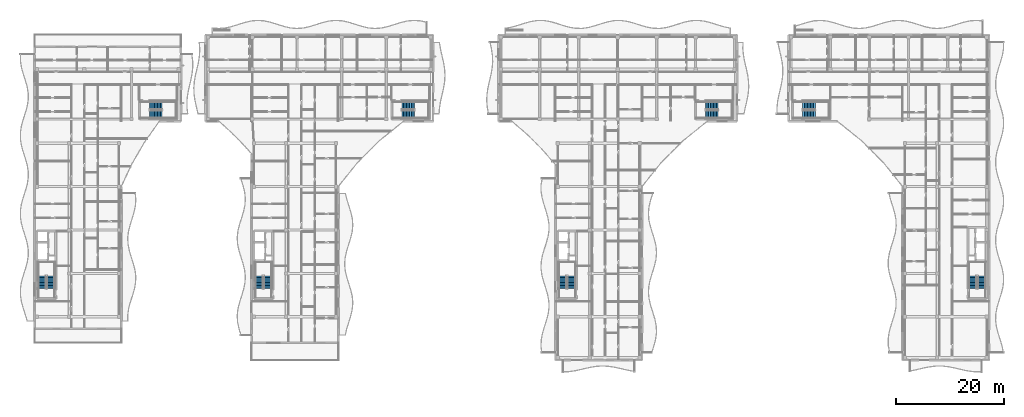
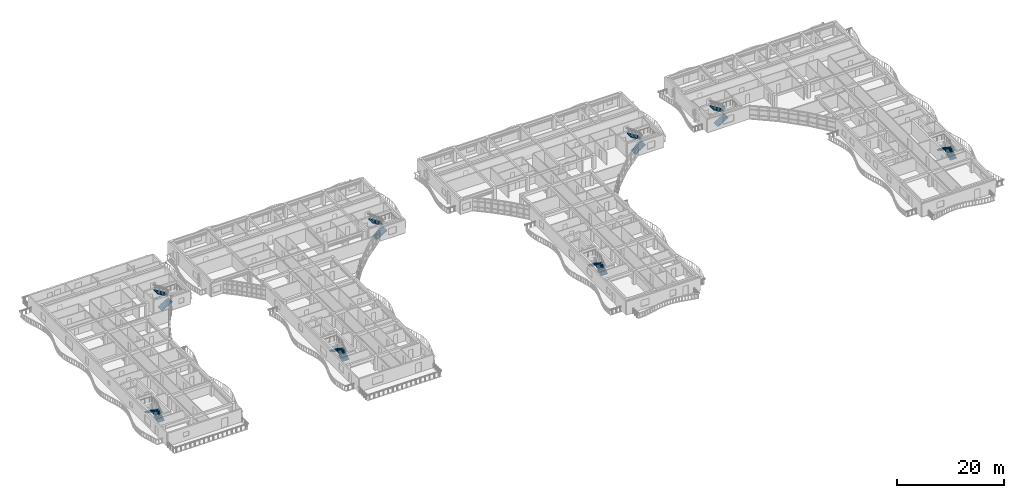
# One storey, part 47 of 71: 16 stair flights, 8 elements without a shape of their own.
"""IFC4 building model written with IfcOpenShell, lengths in metres."""

from ifc_helpers import new_model, si_unit, direction, frame, origin, place, context, subcontext, project, spatial, polyline, outline, extrude, material, type_object, element, aggregate, save


model = new_model("IFC4")

# Units and contexts
model_context = context("Model", 3, precision=1e-05, world=origin(), true_north=direction((0.0, 1.0)))
body_context = subcontext(model_context, "Body", "Model", "MODEL_VIEW")
ifc_project = project(units=[si_unit("LENGTHUNIT", "METRE"), si_unit("AREAUNIT", "SQUARE_METRE"), si_unit("VOLUMEUNIT", "CUBIC_METRE"), si_unit("PLANEANGLEUNIT", "RADIAN"), si_unit("MASSUNIT", "GRAM", prefix="KILO")], contexts=[model_context])

# Site, building, storey
site_placement = place(None, origin())
site = spatial("IfcSite", under=ifc_project, at=site_placement, CompositionType="ELEMENT")
building_placement = place(site_placement, origin())
building = spatial("IfcBuilding", under=site, at=building_placement, Name="Keldmere Railside Commons", CompositionType="ELEMENT")
storey_placement = place(building_placement, frame((0.0, 0.0, 20.159912109375)))
storey = spatial("IfcBuildingStorey", under=building, at=storey_placement, Name="L06", CompositionType="ELEMENT", Elevation=20.159912109375)

# Stair, stair flights
ifc_material = material(Name="Concrete H-30 (C30/37)", Category="concrete")
stair_type_1 = type_object("IfcStairType", Name="Basement Garage Dogleg Escape Stair 1450", PredefinedType="HALF_TURN_STAIR", material=ifc_material)
stair_1_placement = place(storey_placement, origin())
stair_1 = element("IfcStair", 1, at=stair_1_placement, inside=storey, type_object=stair_type_1, Name="L06 Block B Primary Escape Stair 1", PredefinedType="HALF_TURN_STAIR")
stair_flight_type_1 = type_object("IfcStairFlightType", Name="Basement Escape Stair Flight 1450", PredefinedType="STRAIGHT", material=ifc_material)
stair_flight_1_placement = place(storey_placement, frame((106.97509765625, 69.199951171875, 0.0), z_axis=(0.0, 0.0, 1.0), x_axis=(0.0, 1.0, 0.0)))
stair_flight_1 = element("IfcStairFlight", 2, at=stair_flight_1_placement, type_object=stair_flight_type_1, Name="ST-B1 flight 1", NumberOfRisers=9, NumberOfTreads=8, PredefinedType="STRAIGHT", RiserHeight=0.177777778, TreadLength=0.29, context=body_context, shape_type="SweptSolid", body=[
    extrude(outline(polyline([(0.0, 0.0), (0.0, 0.177734375), (0.2900390625, 0.177734375), (0.2900390625, 0.35546875), (0.580078125, 0.35546875), (0.580078125, 0.533447265625), (0.8701171875, 0.533447265625), (0.8701171875, 0.711181640625), (1.159912109375, 0.711181640625), (1.159912109375, 0.888916015625), (1.449951171875, 0.888916015625), (1.449951171875, 1.066650390625), (1.739990234375, 1.066650390625), (1.739990234375, 1.244384765625), (2.030029296875, 1.244384765625), (2.030029296875, 1.422119140625), (2.320068359375, 1.422119140625), (2.320068359375, 1.60009765625), (2.320068359375, 1.211181640625), (0.34423828125, 0.0), (0.0, 0.0)])), frame((0.0, 0.72509765625, 0.0), z_axis=(0.0, -1.0, 0.0), x_axis=(1.0, 0.0, 0.0)), (0.0, 0.0, 1.0), 1.449951171875),
])
stair_flight_2_placement = place(storey_placement, frame((105.375, 71.52001953125, 1.60009765625), z_axis=(0.0, 0.0, 1.0), x_axis=(0.0, -1.0, 0.0)))
stair_flight_2 = element("IfcStairFlight", 3, at=stair_flight_2_placement, type_object=stair_flight_type_1, Name="ST-B1 flight 2", NumberOfRisers=9, NumberOfTreads=8, PredefinedType="STRAIGHT", RiserHeight=0.177777778, TreadLength=0.29, context=body_context, shape_type="SweptSolid", body=[
    extrude(outline(polyline([(0.0, 0.0), (0.0, 0.177734375), (0.2900390625, 0.177734375), (0.2900390625, 0.35546875), (0.580078125, 0.35546875), (0.580078125, 0.533447265625), (0.8701171875, 0.533447265625), (0.8701171875, 0.711181640625), (1.159912109375, 0.711181640625), (1.159912109375, 0.888916015625), (1.449951171875, 0.888916015625), (1.449951171875, 1.066650390625), (1.739990234375, 1.066650390625), (1.739990234375, 1.244384765625), (2.030029296875, 1.244384765625), (2.030029296875, 1.422119140625), (2.320068359375, 1.422119140625), (2.320068359375, 1.60009765625), (2.320068359375, 1.211181640625), (0.34423828125, 0.0), (0.0, 0.0)])), frame((0.0, 0.72509765625, 0.0), z_axis=(0.0, -1.0, 0.0), x_axis=(1.0, 0.0, 0.0)), (0.0, 0.0, 1.0), 1.449951171875),
])
aggregate(stair_1, [stair_flight_1, stair_flight_2])

stair_2_placement = place(storey_placement, origin())
stair_2 = element("IfcStair", 4, at=stair_2_placement, inside=storey, type_object=stair_type_1, Name="L06 Block B Secondary Escape Stair 2", PredefinedType="HALF_TURN_STAIR")
stair_flight_3_placement = place(storey_placement, frame((131.699951171875, 101.324951171875, 0.0), z_axis=(0.0, 0.0, 1.0), x_axis=(1.0, 0.0, 0.0)))
stair_flight_3 = element("IfcStairFlight", 5, at=stair_flight_3_placement, type_object=stair_flight_type_1, Name="ST-B2 flight 1", NumberOfRisers=9, NumberOfTreads=8, PredefinedType="STRAIGHT", RiserHeight=0.177777778, TreadLength=0.29, context=body_context, shape_type="SweptSolid", body=[
    extrude(outline(polyline([(0.0, 0.0), (0.0, 0.177734375), (0.2900390625, 0.177734375), (0.2900390625, 0.35546875), (0.580078125, 0.35546875), (0.580078125, 0.533447265625), (0.8701171875, 0.533447265625), (0.8701171875, 0.711181640625), (1.159912109375, 0.711181640625), (1.159912109375, 0.888916015625), (1.449951171875, 0.888916015625), (1.449951171875, 1.066650390625), (1.739990234375, 1.066650390625), (1.739990234375, 1.244384765625), (2.030029296875, 1.244384765625), (2.030029296875, 1.422119140625), (2.320068359375, 1.422119140625), (2.320068359375, 1.60009765625), (2.320068359375, 1.211181640625), (0.34423828125, 0.0), (0.0, 0.0)])), frame((0.0, 0.72509765625, 0.0), z_axis=(0.0, -1.0, 0.0), x_axis=(1.0, 0.0, 0.0)), (0.0, 0.0, 1.0), 1.449951171875),
])
stair_flight_4_placement = place(storey_placement, frame((134.02001953125, 102.925048828125, 1.60009765625), z_axis=(0.0, 0.0, 1.0), x_axis=(-1.0, 0.0, 0.0)))
stair_flight_4 = element("IfcStairFlight", 6, at=stair_flight_4_placement, type_object=stair_flight_type_1, Name="ST-B2 flight 2", NumberOfRisers=9, NumberOfTreads=8, PredefinedType="STRAIGHT", RiserHeight=0.177777778, TreadLength=0.29, context=body_context, shape_type="SweptSolid", body=[
    extrude(outline(polyline([(0.0, 0.0), (0.0, 0.177734375), (0.2900390625, 0.177734375), (0.2900390625, 0.35546875), (0.580078125, 0.35546875), (0.580078125, 0.533447265625), (0.8701171875, 0.533447265625), (0.8701171875, 0.711181640625), (1.159912109375, 0.711181640625), (1.159912109375, 0.888916015625), (1.449951171875, 0.888916015625), (1.449951171875, 1.066650390625), (1.739990234375, 1.066650390625), (1.739990234375, 1.244384765625), (2.030029296875, 1.244384765625), (2.030029296875, 1.422119140625), (2.320068359375, 1.422119140625), (2.320068359375, 1.60009765625), (2.320068359375, 1.211181640625), (0.34423828125, 0.0), (0.0, 0.0)])), frame((0.0, 0.72509765625, 0.0), z_axis=(0.0, -1.0, 0.0), x_axis=(1.0, 0.0, 0.0)), (0.0, 0.0, 1.0), 1.449951171875),
])
aggregate(stair_2, [stair_flight_3, stair_flight_4])

stair_type_2 = type_object("IfcStairType", Name="Residential Core Dogleg Stair 1450", PredefinedType="HALF_TURN_STAIR", material=ifc_material)
stair_3_placement = place(storey_placement, origin())
stair_3 = element("IfcStair", 7, at=stair_3_placement, inside=storey, type_object=stair_type_2, Name="L06 Block D Primary Escape Stair 1", PredefinedType="HALF_TURN_STAIR")
stair_flight_type_2 = type_object("IfcStairFlightType", Name="Residential Core Stair Flight 1450", PredefinedType="STRAIGHT", material=ifc_material)
stair_flight_5_placement = place(storey_placement, frame((10.97509765625, 69.199951171875, 0.0), z_axis=(0.0, 0.0, 1.0), x_axis=(0.0, 1.0, 0.0)))
stair_flight_5 = element("IfcStairFlight", 8, at=stair_flight_5_placement, type_object=stair_flight_type_2, Name="ST-D1 flight 1", NumberOfRisers=9, NumberOfTreads=8, PredefinedType="STRAIGHT", RiserHeight=0.177777778, TreadLength=0.29, context=body_context, shape_type="SweptSolid", body=[
    extrude(outline(polyline([(0.0, 0.0), (0.0, 0.177734375), (0.2900390625, 0.177734375), (0.2900390625, 0.35546875), (0.580078125, 0.35546875), (0.580078125, 0.533447265625), (0.8701171875, 0.533447265625), (0.8701171875, 0.711181640625), (1.159912109375, 0.711181640625), (1.159912109375, 0.888916015625), (1.449951171875, 0.888916015625), (1.449951171875, 1.066650390625), (1.739990234375, 1.066650390625), (1.739990234375, 1.244384765625), (2.030029296875, 1.244384765625), (2.030029296875, 1.422119140625), (2.320068359375, 1.422119140625), (2.320068359375, 1.60009765625), (2.320068359375, 1.211181640625), (0.34423828125, 0.0), (0.0, 0.0)])), frame((0.0, 0.72509765625, 0.0), z_axis=(0.0, -1.0, 0.0), x_axis=(1.0, 0.0, 0.0)), (0.0, 0.0, 1.0), 1.449951171875),
])
stair_flight_6_placement = place(storey_placement, frame((9.375, 71.52001953125, 1.60009765625), z_axis=(0.0, 0.0, 1.0), x_axis=(0.0, -1.0, 0.0)))
stair_flight_6 = element("IfcStairFlight", 9, at=stair_flight_6_placement, type_object=stair_flight_type_2, Name="ST-D1 flight 2", NumberOfRisers=9, NumberOfTreads=8, PredefinedType="STRAIGHT", RiserHeight=0.177777778, TreadLength=0.29, context=body_context, shape_type="SweptSolid", body=[
    extrude(outline(polyline([(0.0, 0.0), (0.0, 0.177734375), (0.2900390625, 0.177734375), (0.2900390625, 0.35546875), (0.580078125, 0.35546875), (0.580078125, 0.533447265625), (0.8701171875, 0.533447265625), (0.8701171875, 0.711181640625), (1.159912109375, 0.711181640625), (1.159912109375, 0.888916015625), (1.449951171875, 0.888916015625), (1.449951171875, 1.066650390625), (1.739990234375, 1.066650390625), (1.739990234375, 1.244384765625), (2.030029296875, 1.244384765625), (2.030029296875, 1.422119140625), (2.320068359375, 1.422119140625), (2.320068359375, 1.60009765625), (2.320068359375, 1.211181640625), (0.34423828125, 0.0), (0.0, 0.0)])), frame((0.0, 0.72509765625, 0.0), z_axis=(0.0, -1.0, 0.0), x_axis=(1.0, 0.0, 0.0)), (0.0, 0.0, 1.0), 1.449951171875),
])
aggregate(stair_3, [stair_flight_5, stair_flight_6])

stair_4_placement = place(storey_placement, origin())
stair_4 = element("IfcStair", 10, at=stair_4_placement, inside=storey, type_object=stair_type_2, Name="L06 Block D Secondary Escape Stair 2", PredefinedType="HALF_TURN_STAIR")
stair_flight_7_placement = place(storey_placement, frame((29.199951171875, 101.324951171875, 0.0), z_axis=(0.0, 0.0, 1.0), x_axis=(1.0, 0.0, 0.0)))
stair_flight_7 = element("IfcStairFlight", 11, at=stair_flight_7_placement, type_object=stair_flight_type_2, Name="ST-D2 flight 1", NumberOfRisers=9, NumberOfTreads=8, PredefinedType="STRAIGHT", RiserHeight=0.177777778, TreadLength=0.29, context=body_context, shape_type="SweptSolid", body=[
    extrude(outline(polyline([(0.0, 0.0), (0.0, 0.177734375), (0.2900390625, 0.177734375), (0.2900390625, 0.35546875), (0.580078125, 0.35546875), (0.580078125, 0.533447265625), (0.8701171875, 0.533447265625), (0.8701171875, 0.711181640625), (1.159912109375, 0.711181640625), (1.159912109375, 0.888916015625), (1.449951171875, 0.888916015625), (1.449951171875, 1.066650390625), (1.739990234375, 1.066650390625), (1.739990234375, 1.244384765625), (2.030029296875, 1.244384765625), (2.030029296875, 1.422119140625), (2.320068359375, 1.422119140625), (2.320068359375, 1.60009765625), (2.320068359375, 1.211181640625), (0.34423828125, 0.0), (0.0, 0.0)])), frame((0.0, 0.72509765625, 0.0), z_axis=(0.0, -1.0, 0.0), x_axis=(1.0, 0.0, 0.0)), (0.0, 0.0, 1.0), 1.449951171875),
])
stair_flight_8_placement = place(storey_placement, frame((31.52001953125, 102.925048828125, 1.60009765625), z_axis=(0.0, 0.0, 1.0), x_axis=(-1.0, 0.0, 0.0)))
stair_flight_8 = element("IfcStairFlight", 12, at=stair_flight_8_placement, type_object=stair_flight_type_2, Name="ST-D2 flight 2", NumberOfRisers=9, NumberOfTreads=8, PredefinedType="STRAIGHT", RiserHeight=0.177777778, TreadLength=0.29, context=body_context, shape_type="SweptSolid", body=[
    extrude(outline(polyline([(0.0, 0.0), (0.0, 0.177734375), (0.2900390625, 0.177734375), (0.2900390625, 0.35546875), (0.580078125, 0.35546875), (0.580078125, 0.533447265625), (0.8701171875, 0.533447265625), (0.8701171875, 0.711181640625), (1.159912109375, 0.711181640625), (1.159912109375, 0.888916015625), (1.449951171875, 0.888916015625), (1.449951171875, 1.066650390625), (1.739990234375, 1.066650390625), (1.739990234375, 1.244384765625), (2.030029296875, 1.244384765625), (2.030029296875, 1.422119140625), (2.320068359375, 1.422119140625), (2.320068359375, 1.60009765625), (2.320068359375, 1.211181640625), (0.34423828125, 0.0), (0.0, 0.0)])), frame((0.0, 0.72509765625, 0.0), z_axis=(0.0, -1.0, 0.0), x_axis=(1.0, 0.0, 0.0)), (0.0, 0.0, 1.0), 1.449951171875),
])
aggregate(stair_4, [stair_flight_7, stair_flight_8])

stair_5_placement = place(storey_placement, origin())
stair_5 = element("IfcStair", 13, at=stair_5_placement, inside=storey, type_object=stair_type_2, Name="L06 Block C Primary Escape Stair 1", PredefinedType="HALF_TURN_STAIR")
stair_flight_9_placement = place(storey_placement, frame((50.97509765625, 69.199951171875, 0.0), z_axis=(0.0, 0.0, 1.0), x_axis=(0.0, 1.0, 0.0)))
stair_flight_9 = element("IfcStairFlight", 14, at=stair_flight_9_placement, type_object=stair_flight_type_2, Name="ST-C1 flight 1", NumberOfRisers=9, NumberOfTreads=8, PredefinedType="STRAIGHT", RiserHeight=0.177777778, TreadLength=0.29, context=body_context, shape_type="SweptSolid", body=[
    extrude(outline(polyline([(0.0, 0.0), (0.0, 0.177734375), (0.2900390625, 0.177734375), (0.2900390625, 0.35546875), (0.580078125, 0.35546875), (0.580078125, 0.533447265625), (0.8701171875, 0.533447265625), (0.8701171875, 0.711181640625), (1.159912109375, 0.711181640625), (1.159912109375, 0.888916015625), (1.449951171875, 0.888916015625), (1.449951171875, 1.066650390625), (1.739990234375, 1.066650390625), (1.739990234375, 1.244384765625), (2.030029296875, 1.244384765625), (2.030029296875, 1.422119140625), (2.320068359375, 1.422119140625), (2.320068359375, 1.60009765625), (2.320068359375, 1.211181640625), (0.34423828125, 0.0), (0.0, 0.0)])), frame((0.0, 0.72509765625, 0.0), z_axis=(0.0, -1.0, 0.0), x_axis=(1.0, 0.0, 0.0)), (0.0, 0.0, 1.0), 1.449951171875),
])
stair_flight_10_placement = place(storey_placement, frame((49.375, 71.52001953125, 1.60009765625), z_axis=(0.0, 0.0, 1.0), x_axis=(0.0, -1.0, 0.0)))
stair_flight_10 = element("IfcStairFlight", 15, at=stair_flight_10_placement, type_object=stair_flight_type_2, Name="ST-C1 flight 2", NumberOfRisers=9, NumberOfTreads=8, PredefinedType="STRAIGHT", RiserHeight=0.177777778, TreadLength=0.29, context=body_context, shape_type="SweptSolid", body=[
    extrude(outline(polyline([(0.0, 0.0), (0.0, 0.177734375), (0.2900390625, 0.177734375), (0.2900390625, 0.35546875), (0.580078125, 0.35546875), (0.580078125, 0.533447265625), (0.8701171875, 0.533447265625), (0.8701171875, 0.711181640625), (1.159912109375, 0.711181640625), (1.159912109375, 0.888916015625), (1.449951171875, 0.888916015625), (1.449951171875, 1.066650390625), (1.739990234375, 1.066650390625), (1.739990234375, 1.244384765625), (2.030029296875, 1.244384765625), (2.030029296875, 1.422119140625), (2.320068359375, 1.422119140625), (2.320068359375, 1.60009765625), (2.320068359375, 1.211181640625), (0.34423828125, 0.0), (0.0, 0.0)])), frame((0.0, 0.72509765625, 0.0), z_axis=(0.0, -1.0, 0.0), x_axis=(1.0, 0.0, 0.0)), (0.0, 0.0, 1.0), 1.449951171875),
])
aggregate(stair_5, [stair_flight_9, stair_flight_10])

stair_6_placement = place(storey_placement, origin())
stair_6 = element("IfcStair", 16, at=stair_6_placement, inside=storey, type_object=stair_type_2, Name="L06 Block C Secondary Escape Stair 2", PredefinedType="HALF_TURN_STAIR")
stair_flight_11_placement = place(storey_placement, frame((75.699951171875, 101.324951171875, 0.0), z_axis=(0.0, 0.0, 1.0), x_axis=(1.0, 0.0, 0.0)))
stair_flight_11 = element("IfcStairFlight", 17, at=stair_flight_11_placement, type_object=stair_flight_type_2, Name="ST-C2 flight 1", NumberOfRisers=9, NumberOfTreads=8, PredefinedType="STRAIGHT", RiserHeight=0.177777778, TreadLength=0.29, context=body_context, shape_type="SweptSolid", body=[
    extrude(outline(polyline([(0.0, 0.0), (0.0, 0.177734375), (0.2900390625, 0.177734375), (0.2900390625, 0.35546875), (0.580078125, 0.35546875), (0.580078125, 0.533447265625), (0.8701171875, 0.533447265625), (0.8701171875, 0.711181640625), (1.159912109375, 0.711181640625), (1.159912109375, 0.888916015625), (1.449951171875, 0.888916015625), (1.449951171875, 1.066650390625), (1.739990234375, 1.066650390625), (1.739990234375, 1.244384765625), (2.030029296875, 1.244384765625), (2.030029296875, 1.422119140625), (2.320068359375, 1.422119140625), (2.320068359375, 1.60009765625), (2.320068359375, 1.211181640625), (0.34423828125, 0.0), (0.0, 0.0)])), frame((0.0, 0.72509765625, 0.0), z_axis=(0.0, -1.0, 0.0), x_axis=(1.0, 0.0, 0.0)), (0.0, 0.0, 1.0), 1.449951171875),
])
stair_flight_12_placement = place(storey_placement, frame((78.02001953125, 102.925048828125, 1.60009765625), z_axis=(0.0, 0.0, 1.0), x_axis=(-1.0, 0.0, 0.0)))
stair_flight_12 = element("IfcStairFlight", 18, at=stair_flight_12_placement, type_object=stair_flight_type_2, Name="ST-C2 flight 2", NumberOfRisers=9, NumberOfTreads=8, PredefinedType="STRAIGHT", RiserHeight=0.177777778, TreadLength=0.29, context=body_context, shape_type="SweptSolid", body=[
    extrude(outline(polyline([(0.0, 0.0), (0.0, 0.177734375), (0.2900390625, 0.177734375), (0.2900390625, 0.35546875), (0.580078125, 0.35546875), (0.580078125, 0.533447265625), (0.8701171875, 0.533447265625), (0.8701171875, 0.711181640625), (1.159912109375, 0.711181640625), (1.159912109375, 0.888916015625), (1.449951171875, 0.888916015625), (1.449951171875, 1.066650390625), (1.739990234375, 1.066650390625), (1.739990234375, 1.244384765625), (2.030029296875, 1.244384765625), (2.030029296875, 1.422119140625), (2.320068359375, 1.422119140625), (2.320068359375, 1.60009765625), (2.320068359375, 1.211181640625), (0.34423828125, 0.0), (0.0, 0.0)])), frame((0.0, 0.72509765625, 0.0), z_axis=(0.0, -1.0, 0.0), x_axis=(1.0, 0.0, 0.0)), (0.0, 0.0, 1.0), 1.449951171875),
])
aggregate(stair_6, [stair_flight_11, stair_flight_12])

stair_7_placement = place(storey_placement, origin())
stair_7 = element("IfcStair", 19, at=stair_7_placement, inside=storey, type_object=stair_type_2, Name="L06 Block A Primary Escape Stair 1", PredefinedType="HALF_TURN_STAIR")
stair_flight_13_placement = place(storey_placement, frame((182.574951171875, 69.199951171875, 0.0), z_axis=(0.0, 0.0, 1.0), x_axis=(0.0, 1.0, 0.0)))
stair_flight_13 = element("IfcStairFlight", 20, at=stair_flight_13_placement, type_object=stair_flight_type_2, Name="ST-A1 flight 1", NumberOfRisers=9, NumberOfTreads=8, PredefinedType="STRAIGHT", RiserHeight=0.177777778, TreadLength=0.29, context=body_context, shape_type="SweptSolid", body=[
    extrude(outline(polyline([(0.0, 0.0), (0.0, 0.177734375), (0.2900390625, 0.177734375), (0.2900390625, 0.35546875), (0.580078125, 0.35546875), (0.580078125, 0.533447265625), (0.8701171875, 0.533447265625), (0.8701171875, 0.711181640625), (1.159912109375, 0.711181640625), (1.159912109375, 0.888916015625), (1.449951171875, 0.888916015625), (1.449951171875, 1.066650390625), (1.739990234375, 1.066650390625), (1.739990234375, 1.244384765625), (2.030029296875, 1.244384765625), (2.030029296875, 1.422119140625), (2.320068359375, 1.422119140625), (2.320068359375, 1.60009765625), (2.320068359375, 1.211181640625), (0.34423828125, 0.0), (0.0, 0.0)])), frame((0.0, 0.72509765625, 0.0), z_axis=(0.0, -1.0, 0.0), x_axis=(1.0, 0.0, 0.0)), (0.0, 0.0, 1.0), 1.449951171875),
])
stair_flight_14_placement = place(storey_placement, frame((180.97509765625, 71.52001953125, 1.60009765625), z_axis=(0.0, 0.0, 1.0), x_axis=(0.0, -1.0, 0.0)))
stair_flight_14 = element("IfcStairFlight", 21, at=stair_flight_14_placement, type_object=stair_flight_type_2, Name="ST-A1 flight 2", NumberOfRisers=9, NumberOfTreads=8, PredefinedType="STRAIGHT", RiserHeight=0.177777778, TreadLength=0.29, context=body_context, shape_type="SweptSolid", body=[
    extrude(outline(polyline([(0.0, 0.0), (0.0, 0.177734375), (0.2900390625, 0.177734375), (0.2900390625, 0.35546875), (0.580078125, 0.35546875), (0.580078125, 0.533447265625), (0.8701171875, 0.533447265625), (0.8701171875, 0.711181640625), (1.159912109375, 0.711181640625), (1.159912109375, 0.888916015625), (1.449951171875, 0.888916015625), (1.449951171875, 1.066650390625), (1.739990234375, 1.066650390625), (1.739990234375, 1.244384765625), (2.030029296875, 1.244384765625), (2.030029296875, 1.422119140625), (2.320068359375, 1.422119140625), (2.320068359375, 1.60009765625), (2.320068359375, 1.211181640625), (0.34423828125, 0.0), (0.0, 0.0)])), frame((0.0, 0.72509765625, 0.0), z_axis=(0.0, -1.0, 0.0), x_axis=(1.0, 0.0, 0.0)), (0.0, 0.0, 1.0), 1.449951171875),
])
aggregate(stair_7, [stair_flight_13, stair_flight_14])

stair_8_placement = place(storey_placement, origin())
stair_8 = element("IfcStair", 22, at=stair_8_placement, inside=storey, type_object=stair_type_2, Name="L06 Block A Secondary Escape Stair 2", PredefinedType="HALF_TURN_STAIR")
stair_flight_15_placement = place(storey_placement, frame((149.60009765625, 101.324951171875, 0.0), z_axis=(0.0, 0.0, 1.0), x_axis=(1.0, 0.0, 0.0)))
stair_flight_15 = element("IfcStairFlight", 23, at=stair_flight_15_placement, type_object=stair_flight_type_2, Name="ST-A2 flight 1", NumberOfRisers=9, NumberOfTreads=8, PredefinedType="STRAIGHT", RiserHeight=0.177777778, TreadLength=0.29, context=body_context, shape_type="SweptSolid", body=[
    extrude(outline(polyline([(0.0, 0.0), (0.0, 0.177734375), (0.2900390625, 0.177734375), (0.2900390625, 0.35546875), (0.580078125, 0.35546875), (0.580078125, 0.533447265625), (0.8701171875, 0.533447265625), (0.8701171875, 0.711181640625), (1.159912109375, 0.711181640625), (1.159912109375, 0.888916015625), (1.449951171875, 0.888916015625), (1.449951171875, 1.066650390625), (1.739990234375, 1.066650390625), (1.739990234375, 1.244384765625), (2.030029296875, 1.244384765625), (2.030029296875, 1.422119140625), (2.320068359375, 1.422119140625), (2.320068359375, 1.60009765625), (2.320068359375, 1.211181640625), (0.34423828125, 0.0), (0.0, 0.0)])), frame((0.0, 0.72509765625, 0.0), z_axis=(0.0, -1.0, 0.0), x_axis=(1.0, 0.0, 0.0)), (0.0, 0.0, 1.0), 1.449951171875),
])
stair_flight_16_placement = place(storey_placement, frame((151.919921875, 102.925048828125, 1.60009765625), z_axis=(0.0, 0.0, 1.0), x_axis=(-1.0, 0.0, 0.0)))
stair_flight_16 = element("IfcStairFlight", 24, at=stair_flight_16_placement, type_object=stair_flight_type_2, Name="ST-A2 flight 2", NumberOfRisers=9, NumberOfTreads=8, PredefinedType="STRAIGHT", RiserHeight=0.177777778, TreadLength=0.29, context=body_context, shape_type="SweptSolid", body=[
    extrude(outline(polyline([(0.0, 0.0), (0.0, 0.177734375), (0.2900390625, 0.177734375), (0.2900390625, 0.35546875), (0.580078125, 0.35546875), (0.580078125, 0.533447265625), (0.8701171875, 0.533447265625), (0.8701171875, 0.711181640625), (1.159912109375, 0.711181640625), (1.159912109375, 0.888916015625), (1.449951171875, 0.888916015625), (1.449951171875, 1.066650390625), (1.739990234375, 1.066650390625), (1.739990234375, 1.244384765625), (2.030029296875, 1.244384765625), (2.030029296875, 1.422119140625), (2.320068359375, 1.422119140625), (2.320068359375, 1.60009765625), (2.320068359375, 1.211181640625), (0.34423828125, 0.0), (0.0, 0.0)])), frame((0.0, 0.72509765625, 0.0), z_axis=(0.0, -1.0, 0.0), x_axis=(1.0, 0.0, 0.0)), (0.0, 0.0, 1.0), 1.449951171875),
])
aggregate(stair_8, [stair_flight_15, stair_flight_16])

save(model, "model.ifc")
